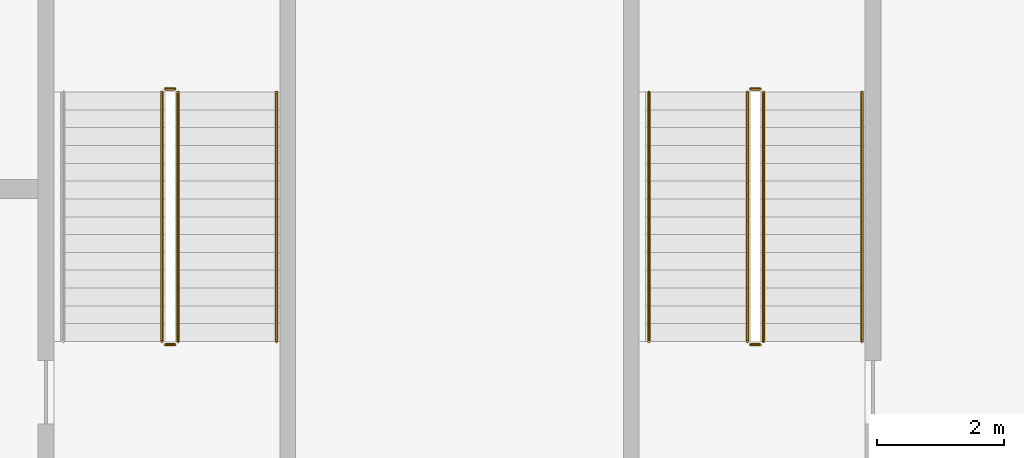
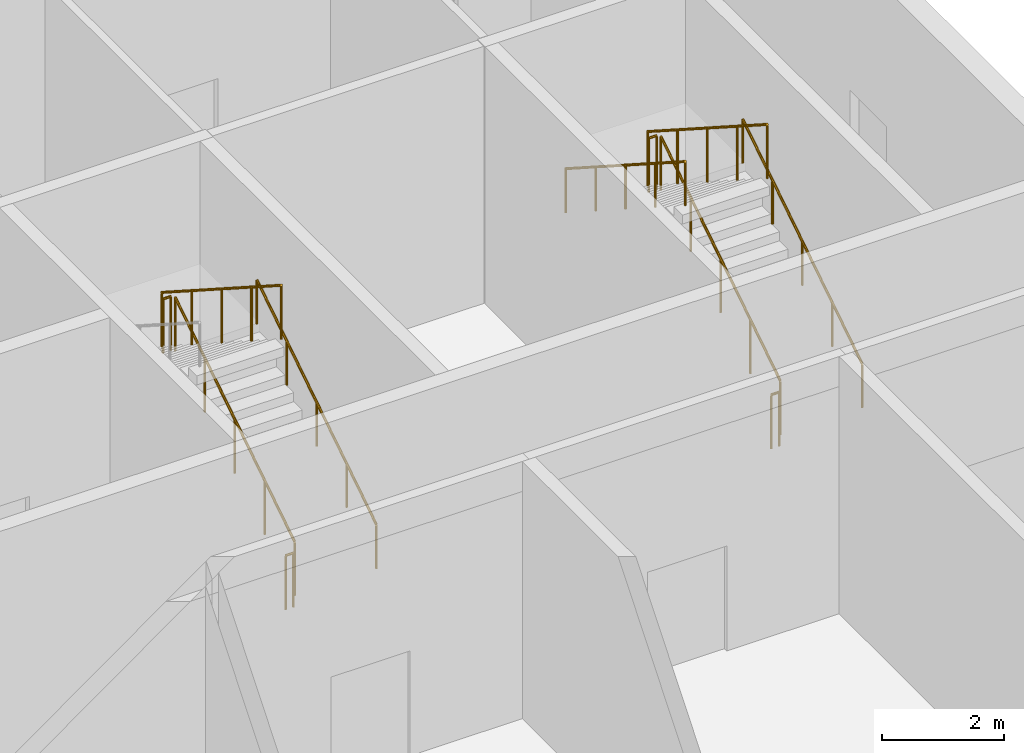
# One storey, part 15 of 18: 11 railings.
"""IFC4 building model written with IfcOpenShell, lengths in metres."""

from ifc_helpers import new_model, si_unit, direction, frame, origin, origin_2d, place, context, subcontext, project, spatial, circle, extrude, material, type_object, element, save


model = new_model("IFC4")

# Units and contexts
model_context = context("Model", 3, precision=1e-05, world=origin(), true_north=direction((0.0, 1.0)))
body_context = subcontext(model_context, "Body", "Model", "MODEL_VIEW")
ifc_project = project(units=[si_unit("LENGTHUNIT", "METRE"), si_unit("AREAUNIT", "SQUARE_METRE"), si_unit("VOLUMEUNIT", "CUBIC_METRE"), si_unit("PLANEANGLEUNIT", "RADIAN"), si_unit("MASSUNIT", "GRAM", prefix="KILO")], contexts=[model_context])

# Site, building, storey
site_placement = place(None, origin())
site = spatial("IfcSite", under=ifc_project, at=site_placement, CompositionType="ELEMENT")
building_placement = place(site_placement, origin())
building = spatial("IfcBuilding", under=site, at=building_placement, Name="Poui Terraces", CompositionType="ELEMENT")
storey_placement = place(building_placement, frame((0.0, 0.0, 267.0)))
storey = spatial("IfcBuildingStorey", under=building, at=storey_placement, Name="L74", CompositionType="ELEMENT", Elevation=267.0)

# Railings
ifc_material_1 = material(Name="Galvanised steel balustrade", Category="steel")
railing_type_1 = type_object("IfcRailingType", Name="STAIR GUARD 1100", PredefinedType="GUARDRAIL", material=ifc_material_1)
railing_1_placement = place(storey_placement, frame((70.27490234375, 16.60009765625, 0.179931640625)))
element("IfcRailing", 1, at=railing_1_placement, inside=storey, type_object=railing_type_1, Name="L74 ST-CE stair guard 1", PredefinedType="GUARDRAIL", context=body_context, shape_type="SweptSolid", body=[
    extrude(circle(Radius=0.02392578125, at=origin_2d()), frame((0.0, 0.0, 1.076171875), z_axis=(0.0, 0.841171666519, 0.540768182723), x_axis=(-1.0, 0.0, 0.0)), (0.0, 0.0, 1.0), 4.66015625),
    extrude(circle(Radius=0.02099609375, at=origin_2d()), origin(), (0.0, 0.0, 1.0), 1.052001953125),
    extrude(circle(Radius=0.02099609375, at=origin_2d()), frame((0.0, 0.97998046875, 0.6298828125)), (0.0, 0.0, 1.0), 1.052001953125),
    extrude(circle(Radius=0.02099609375, at=origin_2d()), frame((0.0, 1.9599609375, 1.260009765625)), (0.0, 0.0, 1.0), 1.052001953125),
    extrude(circle(Radius=0.02099609375, at=origin_2d()), frame((0.0, 2.93994140625, 1.89013671875)), (0.0, 0.0, 1.0), 1.052001953125),
    extrude(circle(Radius=0.02099609375, at=origin_2d()), frame((0.0, 3.919921875, 2.52001953125)), (0.0, 0.0, 1.0), 1.052001953125),
])
railing_2_placement = place(storey_placement, frame((70.22509765625, 20.570068359375, 2.699951171875)))
element("IfcRailing", 2, at=railing_2_placement, inside=storey, type_object=railing_type_1, Name="L74 ST-CE stair guard 2", PredefinedType="GUARDRAIL", context=body_context, shape_type="SweptSolid", body=[
    extrude(circle(Radius=0.02392578125, at=origin_2d()), frame((0.0, 0.0, 1.076171875), z_axis=(-1.0, 0.0, 0.0), x_axis=(0.0, -1.0, 0.0)), (0.0, 0.0, 1.0), 0.150146484375),
    extrude(circle(Radius=0.02099609375, at=origin_2d()), origin(), (0.0, 0.0, 1.0), 1.052001953125),
    extrude(circle(Radius=0.02099609375, at=origin_2d()), frame((-0.150146484375, 0.0, 0.0)), (0.0, 0.0, 1.0), 1.052001953125),
])
railing_3_placement = place(storey_placement, frame((70.02490234375, 20.52001953125, 2.8798828125)))
element("IfcRailing", 3, at=railing_3_placement, inside=storey, type_object=railing_type_1, Name="L74 ST-CE stair guard 3", PredefinedType="GUARDRAIL", context=body_context, shape_type="SweptSolid", body=[
    extrude(circle(Radius=0.02392578125, at=origin_2d()), frame((0.0, 0.0, 1.076171875), z_axis=(0.0, -0.841171666519, 0.540768182723), x_axis=(1.0, 0.0, 0.0)), (0.0, 0.0, 1.0), 4.66015625),
    extrude(circle(Radius=0.02099609375, at=origin_2d()), origin(), (0.0, 0.0, 1.0), 1.052001953125),
    extrude(circle(Radius=0.02099609375, at=origin_2d()), frame((0.0, -0.97998046875, 0.6298828125)), (0.0, 0.0, 1.0), 1.052001953125),
    extrude(circle(Radius=0.02099609375, at=origin_2d()), frame((0.0, -1.9599609375, 1.260009765625)), (0.0, 0.0, 1.0), 1.052001953125),
    extrude(circle(Radius=0.02099609375, at=origin_2d()), frame((0.0, -2.93994140625, 1.89013671875)), (0.0, 0.0, 1.0), 1.052001953125),
    extrude(circle(Radius=0.02099609375, at=origin_2d()), frame((0.0, -3.919921875, 2.52001953125)), (0.0, 0.0, 1.0), 1.052001953125),
])
railing_4_placement = place(storey_placement, frame((70.22509765625, 16.550048828125, 0.0)))
element("IfcRailing", 4, at=railing_4_placement, inside=storey, type_object=railing_type_1, Name="L74 ST-CE stair guard 4", PredefinedType="GUARDRAIL", context=body_context, shape_type="SweptSolid", body=[
    extrude(circle(Radius=0.02392578125, at=origin_2d()), frame((0.0, 0.0, 1.076171875), z_axis=(-1.0, 0.0, 0.0), x_axis=(0.0, -1.0, 0.0)), (0.0, 0.0, 1.0), 0.150146484375),
    extrude(circle(Radius=0.02099609375, at=origin_2d()), origin(), (0.0, 0.0, 1.0), 1.052001953125),
    extrude(circle(Radius=0.02099609375, at=origin_2d()), frame((-0.150146484375, 0.0, 0.0)), (0.0, 0.0, 1.0), 1.052001953125),
])
railing_5_placement = place(storey_placement, frame((79.47509765625, 16.60009765625, 0.179931640625)))
element("IfcRailing", 5, at=railing_5_placement, inside=storey, type_object=railing_type_1, Name="L74 ST-E stair guard 1", PredefinedType="GUARDRAIL", context=body_context, shape_type="SweptSolid", body=[
    extrude(circle(Radius=0.02392578125, at=origin_2d()), frame((0.0, 0.0, 1.076171875), z_axis=(0.0, 0.841171666519, 0.540768182723), x_axis=(-1.0, 0.0, 0.0)), (0.0, 0.0, 1.0), 4.66015625),
    extrude(circle(Radius=0.02099609375, at=origin_2d()), origin(), (0.0, 0.0, 1.0), 1.052001953125),
    extrude(circle(Radius=0.02099609375, at=origin_2d()), frame((0.0, 0.97998046875, 0.6298828125)), (0.0, 0.0, 1.0), 1.052001953125),
    extrude(circle(Radius=0.02099609375, at=origin_2d()), frame((0.0, 1.9599609375, 1.260009765625)), (0.0, 0.0, 1.0), 1.052001953125),
    extrude(circle(Radius=0.02099609375, at=origin_2d()), frame((0.0, 2.93994140625, 1.89013671875)), (0.0, 0.0, 1.0), 1.052001953125),
    extrude(circle(Radius=0.02099609375, at=origin_2d()), frame((0.0, 3.919921875, 2.52001953125)), (0.0, 0.0, 1.0), 1.052001953125),
])
railing_6_placement = place(storey_placement, frame((79.425048828125, 20.570068359375, 2.699951171875)))
element("IfcRailing", 6, at=railing_6_placement, inside=storey, type_object=railing_type_1, Name="L74 ST-E stair guard 2", PredefinedType="GUARDRAIL", context=body_context, shape_type="SweptSolid", body=[
    extrude(circle(Radius=0.02392578125, at=origin_2d()), frame((0.0, 0.0, 1.076171875), z_axis=(-1.0, 0.0, 0.0), x_axis=(0.0, -1.0, 0.0)), (0.0, 0.0, 1.0), 0.150146484375),
    extrude(circle(Radius=0.02099609375, at=origin_2d()), origin(), (0.0, 0.0, 1.0), 1.052001953125),
    extrude(circle(Radius=0.02099609375, at=origin_2d()), frame((-0.150146484375, 0.0, 0.0)), (0.0, 0.0, 1.0), 1.052001953125),
])
railing_7_placement = place(storey_placement, frame((79.22509765625, 20.52001953125, 2.8798828125)))
element("IfcRailing", 7, at=railing_7_placement, inside=storey, type_object=railing_type_1, Name="L74 ST-E stair guard 3", PredefinedType="GUARDRAIL", context=body_context, shape_type="SweptSolid", body=[
    extrude(circle(Radius=0.02392578125, at=origin_2d()), frame((0.0, 0.0, 1.076171875), z_axis=(0.0, -0.841171666519, 0.540768182723), x_axis=(1.0, 0.0, 0.0)), (0.0, 0.0, 1.0), 4.66015625),
    extrude(circle(Radius=0.02099609375, at=origin_2d()), origin(), (0.0, 0.0, 1.0), 1.052001953125),
    extrude(circle(Radius=0.02099609375, at=origin_2d()), frame((0.0, -0.97998046875, 0.6298828125)), (0.0, 0.0, 1.0), 1.052001953125),
    extrude(circle(Radius=0.02099609375, at=origin_2d()), frame((0.0, -1.9599609375, 1.260009765625)), (0.0, 0.0, 1.0), 1.052001953125),
    extrude(circle(Radius=0.02099609375, at=origin_2d()), frame((0.0, -2.93994140625, 1.89013671875)), (0.0, 0.0, 1.0), 1.052001953125),
    extrude(circle(Radius=0.02099609375, at=origin_2d()), frame((0.0, -3.919921875, 2.52001953125)), (0.0, 0.0, 1.0), 1.052001953125),
])
railing_8_placement = place(storey_placement, frame((79.425048828125, 16.550048828125, 0.0)))
element("IfcRailing", 8, at=railing_8_placement, inside=storey, type_object=railing_type_1, Name="L74 ST-E stair guard 4", PredefinedType="GUARDRAIL", context=body_context, shape_type="SweptSolid", body=[
    extrude(circle(Radius=0.02392578125, at=origin_2d()), frame((0.0, 0.0, 1.076171875), z_axis=(-1.0, 0.0, 0.0), x_axis=(0.0, -1.0, 0.0)), (0.0, 0.0, 1.0), 0.150146484375),
    extrude(circle(Radius=0.02099609375, at=origin_2d()), origin(), (0.0, 0.0, 1.0), 1.052001953125),
    extrude(circle(Radius=0.02099609375, at=origin_2d()), frame((-0.150146484375, 0.0, 0.0)), (0.0, 0.0, 1.0), 1.052001953125),
])
ifc_material_2 = material(Name="Stainless steel handrail", Category="steel")
railing_type_2 = type_object("IfcRailingType", Name="STAIR HANDRAIL 900", PredefinedType="HANDRAIL", material=ifc_material_2)
for number, where, name in (
    (9, (71.824951171875, 16.60009765625, 0.179931640625), "L74 ST-CE stair handrail 1"),
    (10, (81.02490234375, 16.60009765625, 0.179931640625), "L74 ST-E stair handrail 1"),
):
    element("IfcRailing", number, at=place(storey_placement, frame(where)), inside=storey, type_object=railing_type_2, Name=name, PredefinedType="HANDRAIL", context=body_context, shape_type="SweptSolid", body=[
        extrude(circle(Radius=0.02392578125, at=origin_2d()), frame((0.0, 0.0, 0.8759765625), z_axis=(0.0, 0.841171666519, 0.540768182723), x_axis=(-1.0, 0.0, 0.0)), (0.0, 0.0, 1.0), 4.66015625),
        extrude(circle(Radius=0.02099609375, at=origin_2d()), origin(), (0.0, 0.0, 1.0), 0.851806640625),
        extrude(circle(Radius=0.02099609375, at=origin_2d()), frame((0.0, 0.97998046875, 0.6298828125)), (0.0, 0.0, 1.0), 0.851806640625),
        extrude(circle(Radius=0.02099609375, at=origin_2d()), frame((0.0, 1.9599609375, 1.260009765625)), (0.0, 0.0, 1.0), 0.851806640625),
        extrude(circle(Radius=0.02099609375, at=origin_2d()), frame((0.0, 2.93994140625, 1.89013671875)), (0.0, 0.0, 1.0), 0.851806640625),
        extrude(circle(Radius=0.02099609375, at=origin_2d()), frame((0.0, 3.919921875, 2.52001953125)), (0.0, 0.0, 1.0), 0.851806640625),
    ])
railing_9_placement = place(storey_placement, frame((77.675048828125, 20.52001953125, 2.8798828125)))
element("IfcRailing", 11, at=railing_9_placement, inside=storey, type_object=railing_type_2, Name="L74 ST-E stair handrail 2", PredefinedType="HANDRAIL", context=body_context, shape_type="SweptSolid", body=[
    extrude(circle(Radius=0.02392578125, at=origin_2d()), frame((0.0, 0.0, 0.8759765625), z_axis=(0.0, -0.841171666519, 0.540768182723), x_axis=(1.0, 0.0, 0.0)), (0.0, 0.0, 1.0), 4.66015625),
    extrude(circle(Radius=0.02099609375, at=origin_2d()), origin(), (0.0, 0.0, 1.0), 0.851806640625),
    extrude(circle(Radius=0.02099609375, at=origin_2d()), frame((0.0, -0.97998046875, 0.6298828125)), (0.0, 0.0, 1.0), 0.851806640625),
    extrude(circle(Radius=0.02099609375, at=origin_2d()), frame((0.0, -1.9599609375, 1.260009765625)), (0.0, 0.0, 1.0), 0.851806640625),
    extrude(circle(Radius=0.02099609375, at=origin_2d()), frame((0.0, -2.93994140625, 1.89013671875)), (0.0, 0.0, 1.0), 0.851806640625),
    extrude(circle(Radius=0.02099609375, at=origin_2d()), frame((0.0, -3.919921875, 2.52001953125)), (0.0, 0.0, 1.0), 0.851806640625),
])

save(model, "model.ifc")
